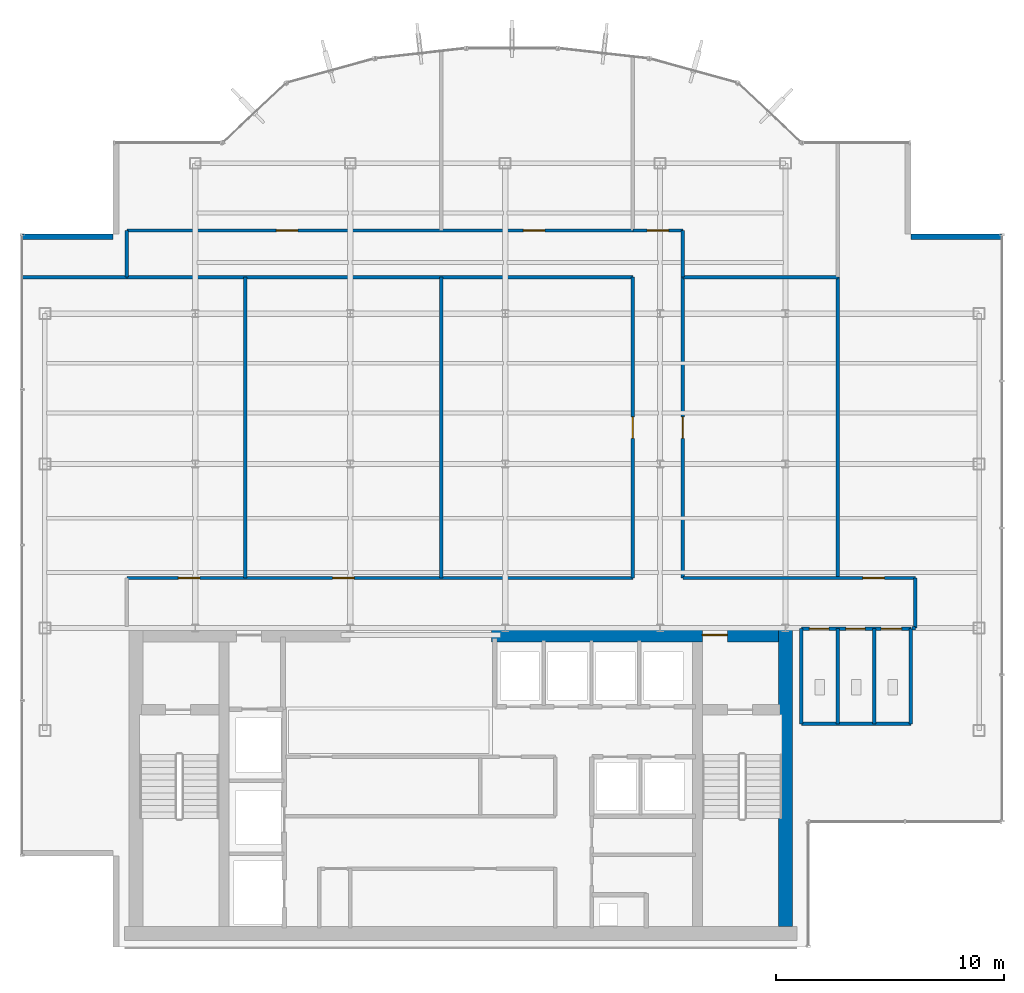
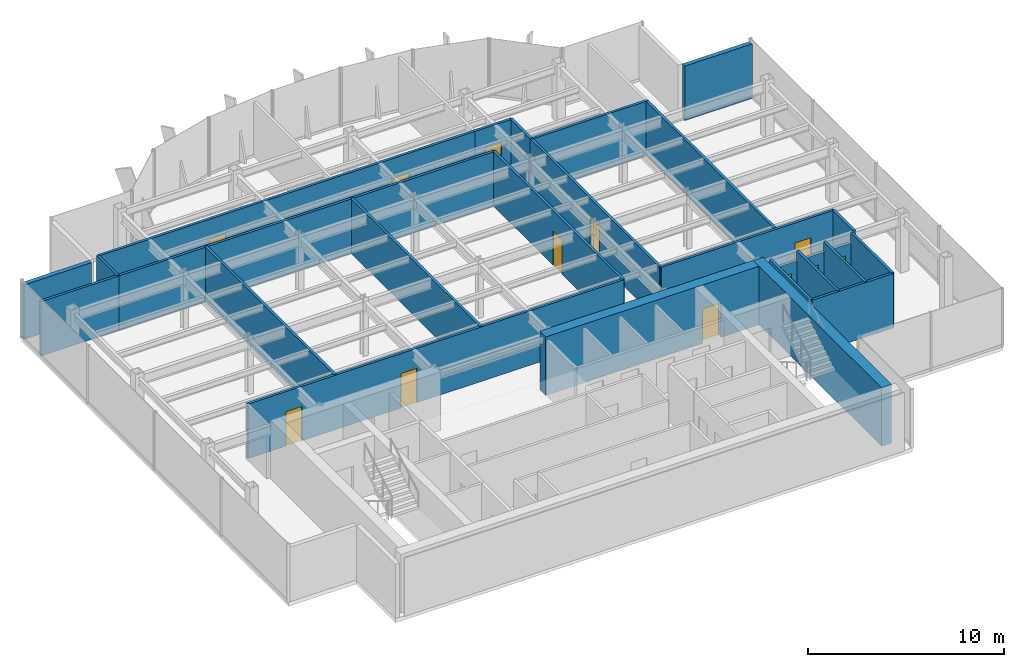
# One storey, part 18 of 22: 26 walls, 12 doors, 12 openings.
"""IFC4 building model written with IfcOpenShell, lengths in metres."""

from ifc_helpers import new_model, si_unit, derived_unit, direction, frame, frame_2d, origin, place, context, subcontext, project, spatial, rectangle, extrude, source, transform, mapped, material, layer, layer_set, type_object, element, fill, save


model = new_model("IFC4")

# Units and contexts
model_context = context("Model", 3, precision=1e-05, world=origin(), true_north=direction((0.0, 1.0)))
body_context = subcontext(model_context, "Body", "Model", "MODEL_VIEW")
ifc_project = project(units=[si_unit("LENGTHUNIT", "METRE"), si_unit("AREAUNIT", "SQUARE_METRE"), si_unit("VOLUMEUNIT", "CUBIC_METRE"), si_unit("PLANEANGLEUNIT", "RADIAN"), si_unit("MASSUNIT", "GRAM", prefix="KILO"), derived_unit("THERMALTRANSMITTANCEUNIT", [(si_unit("POWERUNIT", "WATT"), 1), (si_unit("LENGTHUNIT", "METRE"), -2), (si_unit("THERMODYNAMICTEMPERATUREUNIT", "KELVIN"), -1)])], contexts=[model_context])

# Site, building, storey
site_placement = place(None, origin())
site = spatial("IfcSite", under=ifc_project, at=site_placement, CompositionType="ELEMENT")
building_placement = place(site_placement, origin())
building = spatial("IfcBuilding", under=site, at=building_placement, Name="Skarnbrae Concourse Arena and Tower", CompositionType="ELEMENT")
storey_placement = place(building_placement, frame((0.0, 0.0, 225.10009765625)))
storey = spatial("IfcBuildingStorey", under=building, at=storey_placement, Name="L58", CompositionType="ELEMENT", Elevation=225.10009765625)

# Wall
ifc_material_1 = material(Name="Concrete 50 MPa (C50/60)", Category="concrete")
ifc_layer_1 = layer(ifc_material_1, 0.60009765625)
ifc_layer_set_1 = layer_set([ifc_layer_1], Name="Concrete 50 MPa (C50/60)")
wall_type_1 = type_object("IfcWallType", Name="WALL-CORE-600-C50", PredefinedType="SHEAR", material=ifc_layer_set_1)
shared_shape_1 = source(origin(), body_context, "Body", "SweptSolid", [
    extrude(rectangle(XDim=13.10009765625, YDim=0.60009765625, at=frame_2d((6.550048828125, 0.0))), origin(), (0.0, 0.0, 1.0), 3.64990234375),
])
wall_1_placement = place(storey_placement, frame((33.5, 0.89990234375, 0.0), z_axis=(0.0, 0.0, 1.0), x_axis=(0.0, 1.0, 0.0)))
element("IfcWall", 1, at=wall_1_placement, inside=storey, type_object=wall_type_1, Name="L58 Rear core shear wall CW-E", PredefinedType="SHEAR", context=body_context, shape_type="MappedRepresentation", body=[
    mapped(shared_shape_1, transform((0.0, 0.0, 0.0))),
])

# Wall, opening, door
shared_shape_2 = source(origin(), body_context, "Body", "SweptSolid", [
    extrude(rectangle(XDim=12.599853515625, YDim=0.60009765625, at=frame_2d((6.2998046875, 0.0))), origin(), (0.0, 0.0, 1.0), 3.64990234375),
])
wall_2_placement = place(storey_placement, frame((20.60009765625, 13.699951171875, 0.0), z_axis=(0.0, 0.0, 1.0), x_axis=(1.0, 0.0, 0.0)))
wall_2 = element("IfcWall", 2, at=wall_2_placement, inside=storey, type_object=wall_type_1, Name="L58 Rear core shear wall CW-NE", PredefinedType="SHEAR", context=body_context, shape_type="MappedRepresentation", body=[
    mapped(shared_shape_2, transform((0.0, 0.0, 0.0))),
])
opening_1_placement = place(wall_2_placement, frame((9.25, 0.0, 0.0)))
opening_1 = element("IfcOpeningElement", 3, at=opening_1_placement, cuts=wall_2, Name="Opening DT-03", PredefinedType="OPENING", context=body_context, shape_type="SweptSolid", body=[
    extrude(rectangle(XDim=1.10009765625, YDim=2.14990234375, at=frame_2d((0.550048828125, 1.074951171875))), frame((0.0, 0.31005859375, 0.0), z_axis=(0.0, -1.0, 0.0), x_axis=(1.0, 0.0, 0.0)), (0.0, 0.0, 1.0), 0.6201171875),
])
ifc_material_2 = material(Name="Steel CSA G40.21 350W", Category="steel")
door_type_1 = type_object("IfcDoorType", Name="DOOR-FIRE-1100-90M", OperationType="NOTDEFINED", PredefinedType="DOOR", material=ifc_material_2)
shared_shape_3 = source(origin(), body_context, "Body", "SweptSolid", [
    extrude(rectangle(XDim=1.10009765625, YDim=2.14990234375, at=frame_2d((0.550048828125, 1.074951171875))), frame((0.0, 0.02490234375, 0.0), z_axis=(0.0, -1.0, 0.0), x_axis=(1.0, 0.0, 0.0)), (0.0, 0.0, 1.0), 0.050048828125),
])
door_1_placement = place(opening_1_placement, origin())
door_1 = element("IfcDoor", 4, at=door_1_placement, inside=storey, type_object=door_type_1, Name="D-1763 Stair ST-2 Vestibule Door", OperationType="SINGLE_SWING_LEFT", OverallHeight=2.14990234375, OverallWidth=1.10009765625, PredefinedType="DOOR", context=body_context, shape_type="MappedRepresentation", body=[
    mapped(shared_shape_3, transform((0.0, 0.0, 0.0))),
])
fill(opening_1, door_1)

# Walls
ifc_material_3 = material(Name="Precast concrete 40 MPa (C40/50)", Category="concrete")
ifc_layer_2 = layer(ifc_material_3, 0.25)
ifc_layer_set_2 = layer_set([ifc_layer_2], Name="Precast concrete 40 MPa (C40/50)")
wall_type_2 = type_object("IfcWallType", Name="WALL-EXT-SPANDREL-250", PredefinedType="STANDARD", material=ifc_layer_set_2)
shared_shape_4 = source(origin(), body_context, "Body", "SweptSolid", [
    extrude(rectangle(XDim=4.0, YDim=0.25, at=frame_2d((2.0, 0.0))), origin(), (0.0, 0.0, 1.0), 3.39990234375),
])
for number, where, z_axis, x_axis, name in (
    (5, (43.0, 31.175048828125, 0.0), (0.0, 0.0, 1.0), (-1.0, 0.0, 0.0), "L58 Notched corner insulated return wall 05"),
    (6, (4.0, 31.175048828125, 0.0), (0.0, 0.0, 1.0), (-1.0, 0.0, 0.0), "L58 Notched corner insulated return wall 17"),
):
    element("IfcWall", number, at=place(storey_placement, frame(where, z_axis=z_axis, x_axis=x_axis)), inside=storey, type_object=wall_type_2, Name=name, PredefinedType="STANDARD", context=body_context, shape_type="MappedRepresentation", body=[
        mapped(shared_shape_4, transform((0.0, 0.0, 0.0))),
    ])
ifc_material_4 = material(Name="Gypsum board on cold-formed steel studs", Category="steel")
ifc_layer_3 = layer(ifc_material_4, 0.14990234375)
ifc_layer_set_3 = layer_set([ifc_layer_3], Name="Gypsum board on cold-formed steel studs")
wall_type_3 = type_object("IfcWallType", Name="WALL-PART-150", PredefinedType="PARTITIONING", material=ifc_layer_set_3)
shared_shape_5 = source(origin(), body_context, "Body", "SweptSolid", [
    extrude(rectangle(XDim=4.800048828125, YDim=0.14990234375, at=frame_2d((2.39990234375, 0.0))), origin(), (0.0, 0.0, 1.0), 3.39990234375),
])
wall_3_placement = place(storey_placement, frame((34.199951171875, 9.800048828125, 0.0), z_axis=(0.0, 0.0, 1.0), x_axis=(1.0, 0.0, 0.0)))
element("IfcWall", 7, at=wall_3_placement, inside=storey, type_object=wall_type_3, Name="L58 Interior partition wall W-L58-WC-S", PredefinedType="PARTITIONING", context=body_context, shape_type="MappedRepresentation", body=[
    mapped(shared_shape_5, transform((0.0, 0.0, 0.0))),
])
shared_shape_6 = source(origin(), body_context, "Body", "SweptSolid", [
    extrude(rectangle(XDim=4.179931640625, YDim=0.14990234375, at=frame_2d((2.08984375, 0.0))), origin(), (0.0, 0.0, 1.0), 3.39990234375),
])
for number, where, z_axis, x_axis, name in (
    (8, (39.0, 9.800048828125, 0.0), (0.0, 0.0, 1.0), (0.0, 1.0, 0.0), "L58 Interior partition wall W-L58-WC-E"),
    (9, (34.199951171875, 9.800048828125, 0.0), (0.0, 0.0, 1.0), (0.0, 1.0, 0.0), "L58 Interior partition wall W-L58-WC-W"),
    (10, (35.800048828125, 9.800048828125, 0.0), (0.0, 0.0, 1.0), (0.0, 1.0, 0.0), "L58 Interior partition wall W-L58-WC-D1"),
    (11, (37.39990234375, 9.800048828125, 0.0), (0.0, 0.0, 1.0), (0.0, 1.0, 0.0), "L58 Interior partition wall W-L58-WC-D2"),
):
    element("IfcWall", number, at=place(storey_placement, frame(where, z_axis=z_axis, x_axis=x_axis)), inside=storey, type_object=wall_type_3, Name=name, PredefinedType="PARTITIONING", context=body_context, shape_type="MappedRepresentation", body=[
        mapped(shared_shape_6, transform((0.0, 0.0, 0.0))),
    ])
ifc_layer_4 = layer(ifc_material_4, 0.14990234375)
ifc_layer_set_4 = layer_set([ifc_layer_4], Name="Gypsum board on cold-formed steel studs")
wall_type_4 = type_object("IfcWallType", Name="WALL-PART-150-1HR", PredefinedType="PARTITIONING", material=ifc_layer_set_4)
shared_shape_7 = source(origin(), body_context, "Body", "SweptSolid", [
    extrude(rectangle(XDim=2.050048828125, YDim=0.14990234375, at=frame_2d((1.02490234375, 0.0))), origin(), (0.0, 0.0, 1.0), 3.39990234375),
])
for number, where, z_axis, x_axis, name in (
    (12, (4.60009765625, 29.39990234375, 0.0), (0.0, 0.0, 1.0), (0.0, 1.0, 0.0), "L58 Interior partition wall W-L58-COR-05"),
    (13, (29.0, 31.449951171875, 0.0), (0.0, 0.0, 1.0), (0.0, -1.0, 0.0), "L58 Interior partition wall W-L58-COR-08"),
):
    element("IfcWall", number, at=place(storey_placement, frame(where, z_axis=z_axis, x_axis=x_axis)), inside=storey, type_object=wall_type_4, Name=name, PredefinedType="PARTITIONING", context=body_context, shape_type="MappedRepresentation", body=[
        mapped(shared_shape_7, transform((0.0, 0.0, 0.0))),
    ])

# Wall, opening, door
shared_shape_8 = source(origin(), body_context, "Body", "SweptSolid", [
    extrude(rectangle(XDim=2.199951171875, YDim=0.14990234375, at=frame_2d((1.10009765625, 0.0))), origin(), (0.0, 0.0, 1.0), 3.39990234375),
])
wall_4_placement = place(storey_placement, frame((26.800048828125, 31.449951171875, 0.0), z_axis=(0.0, 0.0, 1.0), x_axis=(1.0, 0.0, 0.0)))
wall_4 = element("IfcWall", 14, at=wall_4_placement, inside=storey, type_object=wall_type_4, Name="L58 Interior partition wall W-L58-COR-07", PredefinedType="PARTITIONING", context=body_context, shape_type="MappedRepresentation", body=[
    mapped(shared_shape_8, transform((0.0, 0.0, 0.0))),
])
opening_2_placement = place(wall_4_placement, frame((0.625, 0.0, 0.0)))
opening_2 = element("IfcOpeningElement", 15, at=opening_2_placement, cuts=wall_4, Name="Opening DT-04", PredefinedType="OPENING", context=body_context, shape_type="SweptSolid", body=[
    extrude(rectangle(XDim=0.949951171875, YDim=2.14990234375, at=frame_2d((0.47509765625, 1.074951171875))), frame((0.0, 0.0849609375, 0.0), z_axis=(0.0, -1.0, 0.0), x_axis=(1.0, 0.0, 0.0)), (0.0, 0.0, 1.0), 0.169921875),
])
door_type_2 = type_object("IfcDoorType", Name="DOOR-INT-950-45M", OperationType="NOTDEFINED", PredefinedType="DOOR", material=ifc_material_2)
shared_shape_9 = source(origin(), body_context, "Body", "SweptSolid", [
    extrude(rectangle(XDim=0.949951171875, YDim=2.14990234375, at=frame_2d((0.47509765625, 1.074951171875))), frame((0.0, 0.02490234375, 0.0), z_axis=(0.0, -1.0, 0.0), x_axis=(1.0, 0.0, 0.0)), (0.0, 0.0, 1.0), 0.050048828125),
])
door_2_placement = place(opening_2_placement, origin())
door_2 = element("IfcDoor", 16, at=door_2_placement, inside=storey, type_object=door_type_2, Name="D-1787 L58 Suite Door 06", OperationType="SINGLE_SWING_LEFT", OverallHeight=2.14990234375, OverallWidth=0.949951171875, PredefinedType="DOOR", context=body_context, shape_type="MappedRepresentation", body=[
    mapped(shared_shape_9, transform((0.0, 0.0, 0.0))),
])
fill(opening_2, door_2)

# Walls
wall_5_placement = place(storey_placement, frame((39.199951171875, 16.199951171875, 0.0), z_axis=(0.0, 0.0, 1.0), x_axis=(0.0, -1.0, 0.0)))
element("IfcWall", 17, at=wall_5_placement, inside=storey, type_object=wall_type_4, Name="L58 Interior partition wall W-L58-COR-11", PredefinedType="PARTITIONING", context=body_context, shape_type="MappedRepresentation", body=[
    mapped(shared_shape_8, transform((0.0, 0.0, 0.0))),
])
shared_shape_10 = source(origin(), body_context, "Body", "SweptSolid", [
    extrude(rectangle(XDim=4.580078125, YDim=0.14990234375, at=frame_2d((2.2900390625, 0.0))), origin(), (0.0, 0.0, 1.0), 3.39990234375),
])
wall_6_placement = place(storey_placement, frame((0.02001953125, 29.39990234375, 0.0), z_axis=(0.0, 0.0, 1.0), x_axis=(1.0, 0.0, 0.0)))
element("IfcWall", 18, at=wall_6_placement, inside=storey, type_object=wall_type_3, Name="L58 Interior partition wall W-L58-DEM-13", PredefinedType="PARTITIONING", context=body_context, shape_type="MappedRepresentation", body=[
    mapped(shared_shape_10, transform((0.0, 0.0, 0.0))),
])

# Wall, opening, door
shared_shape_11 = source(origin(), body_context, "Body", "SweptSolid", [
    extrude(rectangle(XDim=10.199951171875, YDim=0.14990234375, at=frame_2d((5.10009765625, 0.0))), origin(), (0.0, 0.0, 1.0), 3.39990234375),
])
wall_7_placement = place(storey_placement, frame((29.0, 16.199951171875, 0.0), z_axis=(0.0, 0.0, 1.0), x_axis=(1.0, 0.0, 0.0)))
wall_7 = element("IfcWall", 19, at=wall_7_placement, inside=storey, type_object=wall_type_4, Name="L58 Interior partition wall W-L58-COR-10", PredefinedType="PARTITIONING", context=body_context, shape_type="MappedRepresentation", body=[
    mapped(shared_shape_11, transform((0.0, 0.0, 0.0))),
])
opening_3_placement = place(wall_7_placement, frame((7.89501953125, 0.0, 0.0)))
opening_3 = element("IfcOpeningElement", 20, at=opening_3_placement, cuts=wall_7, Name="Opening DT-04", PredefinedType="OPENING", context=body_context, shape_type="SweptSolid", body=[
    extrude(rectangle(XDim=0.949951171875, YDim=2.14990234375, at=frame_2d((0.47509765625, 1.074951171875))), frame((0.0, 0.0849609375, 0.0), z_axis=(0.0, -1.0, 0.0), x_axis=(1.0, 0.0, 0.0)), (0.0, 0.0, 1.0), 0.169921875),
])
door_3_placement = place(opening_3_placement, origin())
door_3 = element("IfcDoor", 21, at=door_3_placement, inside=storey, type_object=door_type_2, Name="D-1789 L58 Suite Door 08", OperationType="SINGLE_SWING_LEFT", OverallHeight=2.14990234375, OverallWidth=0.949951171875, PredefinedType="DOOR", context=body_context, shape_type="MappedRepresentation", body=[
    mapped(shared_shape_9, transform((0.0, 0.0, 0.0))),
])
fill(opening_3, door_3)

# Wall, openings, doors
shared_shape_12 = source(origin(), body_context, "Body", "SweptSolid", [
    extrude(rectangle(XDim=4.800048828125, YDim=0.14990234375, at=frame_2d((2.39990234375, 0.0))), origin(), (0.0, 0.0, 1.0), 2.786865234375),
])
wall_8_placement = place(storey_placement, frame((34.199951171875, 13.97998046875, 0.0), z_axis=(0.0, 0.0, 1.0), x_axis=(1.0, 0.0, 0.0)))
wall_8 = element("IfcWall", 22, at=wall_8_placement, inside=storey, type_object=wall_type_3, Name="L58 Interior partition wall W-L58-WC-N", PredefinedType="PARTITIONING", context=body_context, shape_type="MappedRepresentation", body=[
    mapped(shared_shape_12, transform((0.0, 0.0, 0.0))),
])
opening_4_placement = place(wall_8_placement, frame((0.35009765625, 0.0, 0.0)))
opening_4 = element("IfcOpeningElement", 23, at=opening_4_placement, cuts=wall_8, Name="Opening DT-06", PredefinedType="OPENING", context=body_context, shape_type="SweptSolid", body=[
    extrude(rectangle(XDim=0.85009765625, YDim=2.10009765625, at=frame_2d((0.425048828125, 1.050048828125))), frame((0.0, 0.0849609375, 0.0), z_axis=(0.0, -1.0, 0.0), x_axis=(1.0, 0.0, 0.0)), (0.0, 0.0, 1.0), 0.169921875),
])
opening_5_placement = place(wall_8_placement, frame((1.949951171875, 0.0, 0.0)))
opening_5 = element("IfcOpeningElement", 24, at=opening_5_placement, cuts=wall_8, Name="Opening DT-06", PredefinedType="OPENING", context=body_context, shape_type="SweptSolid", body=[
    extrude(rectangle(XDim=0.85009765625, YDim=2.10009765625, at=frame_2d((0.425048828125, 1.050048828125))), frame((0.0, 0.0849609375, 0.0), z_axis=(0.0, -1.0, 0.0), x_axis=(1.0, 0.0, 0.0)), (0.0, 0.0, 1.0), 0.169921875),
])
opening_6_placement = place(wall_8_placement, frame((3.5, 0.0, 0.0)))
opening_6 = element("IfcOpeningElement", 25, at=opening_6_placement, cuts=wall_8, Name="Opening DT-05", PredefinedType="OPENING", context=body_context, shape_type="SweptSolid", body=[
    extrude(rectangle(XDim=0.89990234375, YDim=2.10009765625, at=frame_2d((0.449951171875, 1.050048828125))), frame((0.0, 0.0849609375, 0.0), z_axis=(0.0, -1.0, 0.0), x_axis=(1.0, 0.0, 0.0)), (0.0, 0.0, 1.0), 0.169921875),
])
ifc_material_5 = material(Name="Architectural oak veneer timber leaf", Category="wood")
door_type_3 = type_object("IfcDoorType", Name="DOOR-INT-850", OperationType="NOTDEFINED", PredefinedType="DOOR", material=ifc_material_5)
shared_shape_13 = source(origin(), body_context, "Body", "SweptSolid", [
    extrude(rectangle(XDim=0.85009765625, YDim=2.10009765625, at=frame_2d((0.425048828125, 1.050048828125))), frame((0.0, 0.02490234375, 0.0), z_axis=(0.0, -1.0, 0.0), x_axis=(1.0, 0.0, 0.0)), (0.0, 0.0, 1.0), 0.050048828125),
])
door_4_placement = place(opening_4_placement, frame((0.85009765625, 0.0, 0.0), z_axis=(0.0, 0.0, 1.0), x_axis=(-1.0, 0.0, 0.0)))
door_4 = element("IfcDoor", 26, at=door_4_placement, inside=storey, type_object=door_type_3, Name="D-1779 Male Washroom Door", OperationType="SINGLE_SWING_LEFT", OverallHeight=2.10009765625, OverallWidth=0.85009765625, PredefinedType="DOOR", context=body_context, shape_type="MappedRepresentation", body=[
    mapped(shared_shape_13, transform((0.0, 0.0, 0.0))),
])
fill(opening_4, door_4)
door_5_placement = place(opening_5_placement, frame((0.85009765625, 0.0, 0.0), z_axis=(0.0, 0.0, 1.0), x_axis=(-1.0, 0.0, 0.0)))
door_5 = element("IfcDoor", 27, at=door_5_placement, inside=storey, type_object=door_type_3, Name="D-1780 Female Washroom Door", OperationType="SINGLE_SWING_RIGHT", OverallHeight=2.10009765625, OverallWidth=0.85009765625, PredefinedType="DOOR", context=body_context, shape_type="MappedRepresentation", body=[
    mapped(shared_shape_13, transform((0.0, 0.0, 0.0))),
])
fill(opening_5, door_5)
door_type_4 = type_object("IfcDoorType", Name="DOOR-INT-900", OperationType="NOTDEFINED", PredefinedType="DOOR", material=ifc_material_5)
shared_shape_14 = source(origin(), body_context, "Body", "SweptSolid", [
    extrude(rectangle(XDim=0.89990234375, YDim=2.10009765625, at=frame_2d((0.449951171875, 1.050048828125))), frame((0.0, 0.02490234375, 0.0), z_axis=(0.0, -1.0, 0.0), x_axis=(1.0, 0.0, 0.0)), (0.0, 0.0, 1.0), 0.050048828125),
])
door_6_placement = place(opening_6_placement, frame((0.89990234375, 0.0, 0.0), z_axis=(0.0, 0.0, 1.0), x_axis=(-1.0, 0.0, 0.0)))
door_6 = element("IfcDoor", 28, at=door_6_placement, inside=storey, type_object=door_type_4, Name="D-1781 Accessible WC Door", OperationType="SINGLE_SWING_LEFT", OverallHeight=2.10009765625, OverallWidth=0.89990234375, PredefinedType="DOOR", context=body_context, shape_type="MappedRepresentation", body=[
    mapped(shared_shape_14, transform((0.0, 0.0, 0.0))),
])
fill(opening_6, door_6)

# Walls
shared_shape_15 = source(origin(), body_context, "Body", "SweptSolid", [
    extrude(rectangle(XDim=0.14990234375, YDim=0.14990234375, at=frame_2d((0.074951171875, 0.0))), origin(), (0.0, 0.0, 1.0), 3.39990234375),
])
wall_9_placement = place(storey_placement, frame((39.199951171875, 14.0, 0.0), z_axis=(0.0, 0.0, 1.0), x_axis=(-1.0, 0.0, 0.0)))
element("IfcWall", 29, at=wall_9_placement, inside=storey, type_object=wall_type_4, Name="L58 Interior partition wall W-L58-COR-12", PredefinedType="PARTITIONING", context=body_context, shape_type="MappedRepresentation", body=[
    mapped(shared_shape_15, transform((0.0, 0.0, 0.0))),
])
shared_shape_16 = source(origin(), body_context, "Body", "SweptSolid", [
    extrude(rectangle(XDim=6.800048828125, YDim=0.14990234375, at=frame_2d((3.39990234375, 0.0))), origin(), (0.0, 0.0, 1.0), 3.39990234375),
])
wall_10_placement = place(storey_placement, frame((35.800048828125, 29.39990234375, 0.0), z_axis=(0.0, 0.0, 1.0), x_axis=(-1.0, 0.0, 0.0)))
element("IfcWall", 30, at=wall_10_placement, inside=storey, type_object=wall_type_3, Name="L58 Interior partition wall W-L58-DEM-18", PredefinedType="PARTITIONING", context=body_context, shape_type="MappedRepresentation", body=[
    mapped(shared_shape_16, transform((0.0, 0.0, 0.0))),
])

# Wall, openings, doors
shared_shape_17 = source(origin(), body_context, "Body", "SweptSolid", [
    extrude(rectangle(XDim=22.199951171875, YDim=0.14990234375, at=frame_2d((11.10009765625, 0.0))), origin(), (0.0, 0.0, 1.0), 3.39990234375),
])
wall_11_placement = place(storey_placement, frame((4.60009765625, 16.199951171875, 0.0), z_axis=(0.0, 0.0, 1.0), x_axis=(1.0, 0.0, 0.0)))
wall_11 = element("IfcWall", 31, at=wall_11_placement, inside=storey, type_object=wall_type_4, Name="L58 Interior partition wall W-L58-COR-02", PredefinedType="PARTITIONING", context=body_context, shape_type="MappedRepresentation", body=[
    mapped(shared_shape_17, transform((0.0, 0.0, 0.0))),
])
opening_7_placement = place(wall_11_placement, frame((2.2548828125, 0.0, 0.0)))
opening_7 = element("IfcOpeningElement", 32, at=opening_7_placement, cuts=wall_11, Name="Opening DT-04", PredefinedType="OPENING", context=body_context, shape_type="SweptSolid", body=[
    extrude(rectangle(XDim=0.949951171875, YDim=2.14990234375, at=frame_2d((0.47509765625, 1.074951171875))), frame((0.0, 0.0849609375, 0.0), z_axis=(0.0, -1.0, 0.0), x_axis=(1.0, 0.0, 0.0)), (0.0, 0.0, 1.0), 0.169921875),
])
opening_8_placement = place(wall_11_placement, frame((9.02490234375, 0.0, 0.0)))
opening_8 = element("IfcOpeningElement", 33, at=opening_8_placement, cuts=wall_11, Name="Opening DT-04", PredefinedType="OPENING", context=body_context, shape_type="SweptSolid", body=[
    extrude(rectangle(XDim=0.949951171875, YDim=2.14990234375, at=frame_2d((0.47509765625, 1.074951171875))), frame((0.0, 0.0849609375, 0.0), z_axis=(0.0, -1.0, 0.0), x_axis=(1.0, 0.0, 0.0)), (0.0, 0.0, 1.0), 0.169921875),
])
door_7_placement = place(opening_7_placement, origin())
door_7 = element("IfcDoor", 34, at=door_7_placement, inside=storey, type_object=door_type_2, Name="D-1782 L58 Suite Door 01", OperationType="SINGLE_SWING_RIGHT", OverallHeight=2.14990234375, OverallWidth=0.949951171875, PredefinedType="DOOR", context=body_context, shape_type="MappedRepresentation", body=[
    mapped(shared_shape_9, transform((0.0, 0.0, 0.0))),
])
fill(opening_7, door_7)
door_8_placement = place(opening_8_placement, origin())
door_8 = element("IfcDoor", 35, at=door_8_placement, inside=storey, type_object=door_type_2, Name="D-1784 L58 Suite Door 03", OperationType="SINGLE_SWING_RIGHT", OverallHeight=2.14990234375, OverallWidth=0.949951171875, PredefinedType="DOOR", context=body_context, shape_type="MappedRepresentation", body=[
    mapped(shared_shape_9, transform((0.0, 0.0, 0.0))),
])
fill(opening_8, door_8)

# Wall
wall_12_placement = place(storey_placement, frame((26.800048828125, 29.39990234375, 0.0), z_axis=(0.0, 0.0, 1.0), x_axis=(-1.0, 0.0, 0.0)))
element("IfcWall", 36, at=wall_12_placement, inside=storey, type_object=wall_type_4, Name="L58 Interior partition wall W-L58-COR-04", PredefinedType="PARTITIONING", context=body_context, shape_type="MappedRepresentation", body=[
    mapped(shared_shape_17, transform((0.0, 0.0, 0.0))),
])

# Wall, openings, doors
wall_13_placement = place(storey_placement, frame((4.60009765625, 31.449951171875, 0.0), z_axis=(0.0, 0.0, 1.0), x_axis=(1.0, 0.0, 0.0)))
wall_13 = element("IfcWall", 37, at=wall_13_placement, inside=storey, type_object=wall_type_4, Name="L58 Interior partition wall W-L58-COR-06", PredefinedType="PARTITIONING", context=body_context, shape_type="MappedRepresentation", body=[
    mapped(shared_shape_17, transform((0.0, 0.0, 0.0))),
])
opening_9_placement = place(wall_13_placement, frame((6.554931640625, 0.0, 0.0)))
opening_9 = element("IfcOpeningElement", 38, at=opening_9_placement, cuts=wall_13, Name="Opening DT-04", PredefinedType="OPENING", context=body_context, shape_type="SweptSolid", body=[
    extrude(rectangle(XDim=0.949951171875, YDim=2.14990234375, at=frame_2d((0.47509765625, 1.074951171875))), frame((0.0, 0.0849609375, 0.0), z_axis=(0.0, -1.0, 0.0), x_axis=(1.0, 0.0, 0.0)), (0.0, 0.0, 1.0), 0.169921875),
])
opening_10_placement = place(wall_13_placement, frame((17.39501953125, 0.0, 0.0)))
opening_10 = element("IfcOpeningElement", 39, at=opening_10_placement, cuts=wall_13, Name="Opening DT-04", PredefinedType="OPENING", context=body_context, shape_type="SweptSolid", body=[
    extrude(rectangle(XDim=0.949951171875, YDim=2.14990234375, at=frame_2d((0.47509765625, 1.074951171875))), frame((0.0, 0.0849609375, 0.0), z_axis=(0.0, -1.0, 0.0), x_axis=(1.0, 0.0, 0.0)), (0.0, 0.0, 1.0), 0.169921875),
])
door_9_placement = place(opening_9_placement, origin())
door_9 = element("IfcDoor", 40, at=door_9_placement, inside=storey, type_object=door_type_2, Name="D-1783 L58 Suite Door 02", OperationType="SINGLE_SWING_LEFT", OverallHeight=2.14990234375, OverallWidth=0.949951171875, PredefinedType="DOOR", context=body_context, shape_type="MappedRepresentation", body=[
    mapped(shared_shape_9, transform((0.0, 0.0, 0.0))),
])
fill(opening_9, door_9)
door_10_placement = place(opening_10_placement, origin())
door_10 = element("IfcDoor", 41, at=door_10_placement, inside=storey, type_object=door_type_2, Name="D-1786 L58 Suite Door 05", OperationType="SINGLE_SWING_RIGHT", OverallHeight=2.14990234375, OverallWidth=0.949951171875, PredefinedType="DOOR", context=body_context, shape_type="MappedRepresentation", body=[
    mapped(shared_shape_9, transform((0.0, 0.0, 0.0))),
])
fill(opening_10, door_10)

# Wall, opening, door
shared_shape_18 = source(origin(), body_context, "Body", "SweptSolid", [
    extrude(rectangle(XDim=13.199951171875, YDim=0.14990234375, at=frame_2d((6.60009765625, 0.0))), origin(), (0.0, 0.0, 1.0), 3.39990234375),
])
wall_14_placement = place(storey_placement, frame((26.800048828125, 16.199951171875, 0.0), z_axis=(0.0, 0.0, 1.0), x_axis=(0.0, 1.0, 0.0)))
wall_14 = element("IfcWall", 42, at=wall_14_placement, inside=storey, type_object=wall_type_4, Name="L58 Interior partition wall W-L58-COR-03", PredefinedType="PARTITIONING", context=body_context, shape_type="MappedRepresentation", body=[
    mapped(shared_shape_18, transform((0.0, 0.0, 0.0))),
])
opening_11_placement = place(wall_14_placement, frame((6.125, 0.0, 0.0)))
opening_11 = element("IfcOpeningElement", 43, at=opening_11_placement, cuts=wall_14, Name="Opening DT-04", PredefinedType="OPENING", context=body_context, shape_type="SweptSolid", body=[
    extrude(rectangle(XDim=0.949951171875, YDim=2.14990234375, at=frame_2d((0.47509765625, 1.074951171875))), frame((0.0, 0.0849609375, 0.0), z_axis=(0.0, -1.0, 0.0), x_axis=(1.0, 0.0, 0.0)), (0.0, 0.0, 1.0), 0.169921875),
])
door_11_placement = place(opening_11_placement, origin())
door_11 = element("IfcDoor", 44, at=door_11_placement, inside=storey, type_object=door_type_2, Name="D-1785 L58 Suite Door 04", OperationType="SINGLE_SWING_LEFT", OverallHeight=2.14990234375, OverallWidth=0.949951171875, PredefinedType="DOOR", context=body_context, shape_type="MappedRepresentation", body=[
    mapped(shared_shape_9, transform((0.0, 0.0, 0.0))),
])
fill(opening_11, door_11)

wall_15_placement = place(storey_placement, frame((29.0, 29.39990234375, 0.0), z_axis=(0.0, 0.0, 1.0), x_axis=(0.0, -1.0, 0.0)))
wall_15 = element("IfcWall", 45, at=wall_15_placement, inside=storey, type_object=wall_type_4, Name="L58 Interior partition wall W-L58-COR-09", PredefinedType="PARTITIONING", context=body_context, shape_type="MappedRepresentation", body=[
    mapped(shared_shape_18, transform((0.0, 0.0, 0.0))),
])
opening_12_placement = place(wall_15_placement, frame((6.125, 0.0, 0.0)))
opening_12 = element("IfcOpeningElement", 46, at=opening_12_placement, cuts=wall_15, Name="Opening DT-04", PredefinedType="OPENING", context=body_context, shape_type="SweptSolid", body=[
    extrude(rectangle(XDim=0.949951171875, YDim=2.14990234375, at=frame_2d((0.47509765625, 1.074951171875))), frame((0.0, 0.0849609375, 0.0), z_axis=(0.0, -1.0, 0.0), x_axis=(1.0, 0.0, 0.0)), (0.0, 0.0, 1.0), 0.169921875),
])
door_12_placement = place(opening_12_placement, origin())
door_12 = element("IfcDoor", 47, at=door_12_placement, inside=storey, type_object=door_type_2, Name="D-1788 L58 Suite Door 07", OperationType="SINGLE_SWING_RIGHT", OverallHeight=2.14990234375, OverallWidth=0.949951171875, PredefinedType="DOOR", context=body_context, shape_type="MappedRepresentation", body=[
    mapped(shared_shape_9, transform((0.0, 0.0, 0.0))),
])
fill(opening_12, door_12)

# Walls
for number, where, z_axis, x_axis, name in (
    (48, (9.800048828125, 29.39990234375, 0.0), (0.0, 0.0, 1.0), (0.0, -1.0, 0.0), "L58 Interior partition wall W-L58-DEM-14"),
    (49, (18.39990234375, 29.39990234375, 0.0), (0.0, 0.0, 1.0), (0.0, -1.0, 0.0), "L58 Interior partition wall W-L58-DEM-15"),
    (50, (35.800048828125, 29.39990234375, 0.0), (0.0, 0.0, 1.0), (0.0, -1.0, 0.0), "L58 Interior partition wall W-L58-DEM-19"),
):
    element("IfcWall", number, at=place(storey_placement, frame(where, z_axis=z_axis, x_axis=x_axis)), inside=storey, type_object=wall_type_3, Name=name, PredefinedType="PARTITIONING", context=body_context, shape_type="MappedRepresentation", body=[
        mapped(shared_shape_18, transform((0.0, 0.0, 0.0))),
    ])

save(model, "model.ifc")
